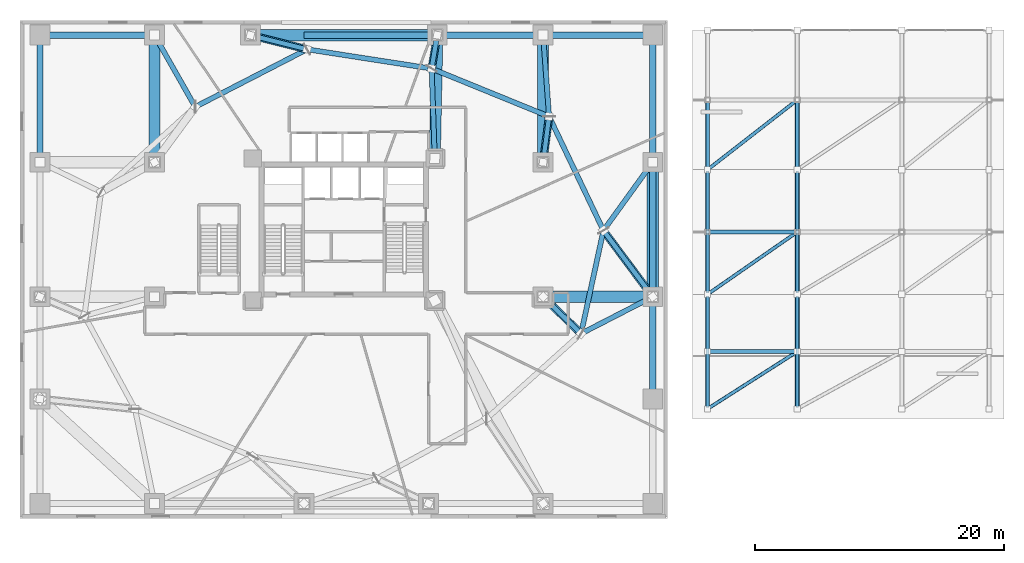
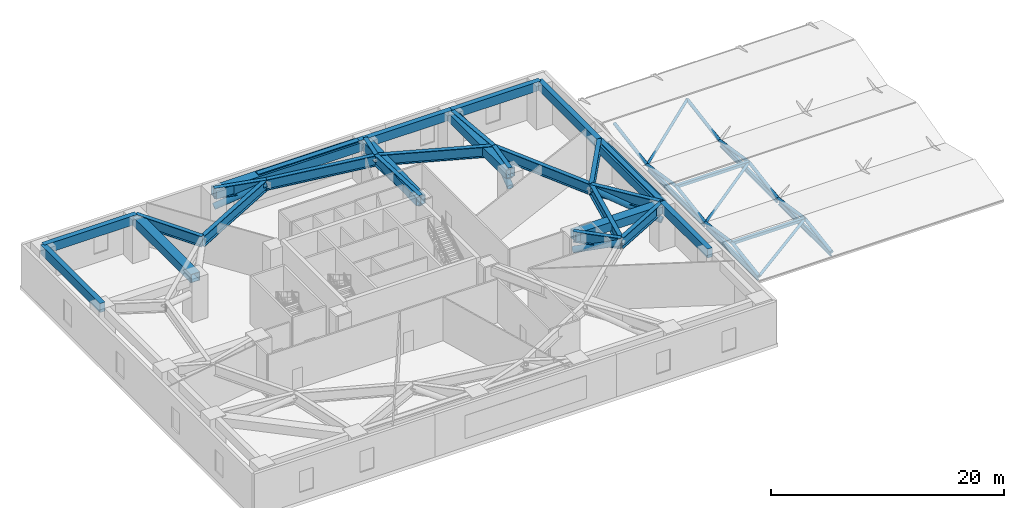
# One storey, part 2 of 13: 27 beams, 26 members.
"""IFC4 building model written with IfcOpenShell, lengths in metres."""

from ifc_helpers import new_model, si_unit, direction, frame, origin, origin_2d, place, context, subcontext, project, spatial, rectangle, hollow_rectangle, hollow_circle, i_section, extrude, source, transform, mapped, material, material_profile, profile_set, type_object, type_shapes, element, save


model = new_model("IFC4")

# Units and contexts
model_context = context("Model", 3, precision=1e-05, world=origin(), true_north=direction((0.0, 1.0)))
body_context = subcontext(model_context, "Body", "Model", "MODEL_VIEW")
ifc_project = project(units=[si_unit("LENGTHUNIT", "METRE"), si_unit("AREAUNIT", "SQUARE_METRE"), si_unit("VOLUMEUNIT", "CUBIC_METRE"), si_unit("PLANEANGLEUNIT", "RADIAN"), si_unit("MASSUNIT", "GRAM", prefix="KILO")], contexts=[model_context])

# Site, building, storey
site_placement = place(None, origin())
site = spatial("IfcSite", under=ifc_project, at=site_placement, CompositionType="ELEMENT")
building_placement = place(site_placement, origin())
building = spatial("IfcBuilding", under=site, at=building_placement, Name="Talar Marvaseh", CompositionType="ELEMENT")
storey_placement = place(building_placement, frame((0.0, 0.0, 19.0)))
storey = spatial("IfcBuildingStorey", under=building, at=storey_placement, Name="L04", CompositionType="ELEMENT", Elevation=19.0)

# Beams
ifc_material_1 = material(Name="Steel S355", Category="steel")
ifc_material_profile_1 = material_profile(ifc_material_1, i_section(OverallWidth=0.2119140625, OverallDepth=0.5439453125, WebThickness=0.01318359375, FlangeThickness=0.021240234375, at=origin_2d()), Name="W530x123")
ifc_profile_set_1 = profile_set([ifc_material_profile_1], Name="Steel S355")
beam_type_1 = type_object("IfcBeamType", Name="Market Hall Primary Girder W530x123", PredefinedType="BEAM", material=ifc_profile_set_1)
for number, where, z_axis, x_axis, name in (
    (1, (55.199951171875, 16.919921875, 0.3779296875), (0.0, 1.0, 0.0), (-1.0, 0.0, 0.0), "L04 Market Hall Primary Girder W530x123"),
    (2, (62.39990234375, 16.919921875, 0.3779296875), (0.0, 1.0, 0.0), (-1.0, 0.0, 0.0), "L04 Market Hall Primary Girder W530x123"),
):
    element("IfcBeam", number, at=place(storey_placement, frame(where, z_axis=z_axis, x_axis=x_axis)), inside=storey, type_object=beam_type_1, Name=name, PredefinedType="BEAM", context=body_context, shape_type="SweptSolid", body=[
        extrude(i_section(OverallWidth=0.2119140625, OverallDepth=0.5439453125, WebThickness=0.01318359375, FlangeThickness=0.021240234375, at=origin_2d()), origin(), (0.0, 0.0, 1.0), 8.9599609375),
    ])
for number, where, z_axis, x_axis, name in (
    (3, (55.199951171875, 26.1201171875, 0.3779296875), (0.0, 1.0, 0.0), (-1.0, 0.0, 0.0), "L04 Market Hall Primary Girder W530x123"),
    (4, (62.39990234375, 26.1201171875, 0.3779296875), (0.0, 1.0, 0.0), (-1.0, 0.0, 0.0), "L04 Market Hall Primary Girder W530x123"),
):
    element("IfcBeam", number, at=place(storey_placement, frame(where, z_axis=z_axis, x_axis=x_axis)), inside=storey, type_object=beam_type_1, Name=name, PredefinedType="BEAM", context=body_context, shape_type="SweptSolid", body=[
        extrude(i_section(OverallWidth=0.2119140625, OverallDepth=0.5439453125, WebThickness=0.01318359375, FlangeThickness=0.021240234375, at=origin_2d()), origin(), (0.0, 0.0, 1.0), 9.759765625),
    ])
ifc_material_2 = material(Name="Concrete C50/60", Category="concrete")
ifc_material_profile_2 = material_profile(ifc_material_2, rectangle(XDim=0.5, YDim=0.949951171875, at=origin_2d()), Name="RC500x950")
ifc_profile_set_2 = profile_set([ifc_material_profile_2], Name="Concrete C50/60")
beam_type_2 = type_object("IfcBeamType", Name="Podium Concrete Tie Beam RC500x950", PredefinedType="BEAM", material=ifc_profile_set_2)
beam_1_placement = place(storey_placement, frame((1.60009765625, 46.800048828125, 4.074951171875), z_axis=(1.0, 0.0, 0.0), x_axis=(0.0, 1.0, 0.0)))
element("IfcBeam", 5, at=beam_1_placement, inside=storey, type_object=beam_type_2, Name="L04 Podium Concrete Tie Beam RC500x950", PredefinedType="BEAM", context=body_context, shape_type="SweptSolid", body=[
    extrude(rectangle(XDim=0.5, YDim=0.949951171875, at=origin_2d()), origin(), (0.0, 0.0, 1.0), 9.199951171875),
])
beam_2_placement = place(storey_placement, frame((22.800048828125, 46.800048828125, 4.074951171875), z_axis=(1.0, 0.0, 0.0), x_axis=(0.0, 1.0, 0.0)))
element("IfcBeam", 6, at=beam_2_placement, inside=storey, type_object=beam_type_2, Name="L04 Podium Concrete Tie Beam RC500x950", PredefinedType="BEAM", context=body_context, shape_type="SweptSolid", body=[
    extrude(rectangle(XDim=0.5, YDim=0.949951171875, at=origin_2d()), origin(), (0.0, 0.0, 1.0), 10.0),
])
beam_3_placement = place(storey_placement, frame((32.800048828125, 46.800048828125, 4.074951171875), z_axis=(1.0, 0.0, 0.0), x_axis=(0.0, 1.0, 0.0)))
element("IfcBeam", 7, at=beam_3_placement, inside=storey, type_object=beam_type_2, Name="L04 Podium Concrete Tie Beam RC500x950", PredefinedType="BEAM", context=body_context, shape_type="SweptSolid", body=[
    extrude(rectangle(XDim=0.5, YDim=0.949951171875, at=origin_2d()), origin(), (0.0, 0.0, 1.0), 9.199951171875),
])
beam_4_placement = place(storey_placement, frame((42.0, 46.800048828125, 4.074951171875), z_axis=(1.0, 0.0, 0.0), x_axis=(0.0, 1.0, 0.0)))
element("IfcBeam", 8, at=beam_4_placement, inside=storey, type_object=beam_type_2, Name="L04 Podium Concrete Tie Beam RC500x950", PredefinedType="BEAM", context=body_context, shape_type="SweptSolid", body=[
    extrude(rectangle(XDim=0.5, YDim=0.949951171875, at=origin_2d()), origin(), (0.0, 0.0, 1.0), 8.800048828125),
])
beam_5_placement = place(storey_placement, frame((1.60009765625, 36.60009765625, 4.074951171875), z_axis=(0.0, 1.0, 0.0), x_axis=(-1.0, 0.0, 0.0)))
element("IfcBeam", 9, at=beam_5_placement, inside=storey, type_object=beam_type_2, Name="L04 Podium Concrete Tie Beam RC500x950", PredefinedType="BEAM", context=body_context, shape_type="SweptSolid", body=[
    extrude(rectangle(XDim=0.5, YDim=0.949951171875, at=origin_2d()), origin(), (0.0, 0.0, 1.0), 10.199951171875),
])
beam_6_placement = place(storey_placement, frame((50.800048828125, 17.60009765625, 4.074951171875), z_axis=(0.0, 1.0, 0.0), x_axis=(-1.0, 0.0, 0.0)))
element("IfcBeam", 10, at=beam_6_placement, inside=storey, type_object=beam_type_2, Name="L04 Podium Concrete Tie Beam RC500x950", PredefinedType="BEAM", context=body_context, shape_type="SweptSolid", body=[
    extrude(rectangle(XDim=0.5, YDim=0.949951171875, at=origin_2d()), origin(), (0.0, 0.0, 1.0), 8.199951171875),
])
beam_7_placement = place(storey_placement, frame((50.800048828125, 25.800048828125, 4.074951171875), z_axis=(0.0, 1.0, 0.0), x_axis=(-1.0, 0.0, 0.0)))
element("IfcBeam", 11, at=beam_7_placement, inside=storey, type_object=beam_type_2, Name="L04 Podium Concrete Tie Beam RC500x950", PredefinedType="BEAM", context=body_context, shape_type="SweptSolid", body=[
    extrude(rectangle(XDim=0.5, YDim=0.949951171875, at=origin_2d()), origin(), (0.0, 0.0, 1.0), 10.800048828125),
])
beam_8_placement = place(storey_placement, frame((50.800048828125, 36.60009765625, 4.074951171875), z_axis=(0.0, 1.0, 0.0), x_axis=(-1.0, 0.0, 0.0)))
element("IfcBeam", 12, at=beam_8_placement, inside=storey, type_object=beam_type_2, Name="L04 Podium Concrete Tie Beam RC500x950", PredefinedType="BEAM", context=body_context, shape_type="SweptSolid", body=[
    extrude(rectangle(XDim=0.5, YDim=0.949951171875, at=origin_2d()), origin(), (0.0, 0.0, 1.0), 10.199951171875),
])
ifc_material_3 = material(Name="Steel S460", Category="steel")
ifc_material_profile_3 = material_profile(ifc_material_3, i_section(OverallWidth=0.405029296875, OverallDepth=1.117919921875, WebThickness=0.02587890625, FlangeThickness=0.044921875, at=origin_2d()), Name="W1100x499")
ifc_profile_set_3 = profile_set([ifc_material_profile_3], Name="Steel S460")
beam_type_3 = type_object("IfcBeamType", Name="Podium Transfer Girder W1100x499", PredefinedType="BEAM", material=ifc_profile_set_3)
beam_9_placement = place(storey_placement, frame((42.47705078125, 40.26904296875, 3.990966796875), z_axis=(0.430480372911, -0.902599938255, 0.0), x_axis=(0.902599938255, 0.430480372911, 0.0)))
element("IfcBeam", 13, at=beam_9_placement, inside=storey, type_object=beam_type_3, Name="L04 Transfer Ring Girder 1", PredefinedType="BEAM", context=body_context, shape_type="SweptSolid", body=[
    extrude(i_section(OverallWidth=0.405029296875, OverallDepth=1.117919921875, WebThickness=0.02587890625, FlangeThickness=0.044921875, at=origin_2d()), origin(), (0.0, 0.0, 1.0), 10.137451171875),
])
beam_10_placement = place(storey_placement, frame((46.841064453125, 31.118896484375, 3.990966796875), z_axis=(-0.212134113363, -0.977240562987, 0.0), x_axis=(0.977240562987, -0.212134113363, 0.0)))
element("IfcBeam", 14, at=beam_10_placement, inside=storey, type_object=beam_type_3, Name="L04 Transfer Ring Girder 2", PredefinedType="BEAM", context=body_context, shape_type="SweptSolid", body=[
    extrude(i_section(OverallWidth=0.405029296875, OverallDepth=1.117919921875, WebThickness=0.02587890625, FlangeThickness=0.044921875, at=origin_2d()), origin(), (0.0, 0.0, 1.0), 8.4716796875),
])
beam_11_placement = place(storey_placement, frame((14.069091796875, 41.04296875, 3.990966796875), z_axis=(0.889015710182, 0.457876694155, 0.0), x_axis=(-0.457876694155, 0.889015710182, 0.0)))
element("IfcBeam", 15, at=beam_11_placement, inside=storey, type_object=beam_type_3, Name="L04 Transfer Ring Girder 10", PredefinedType="BEAM", context=body_context, shape_type="SweptSolid", body=[
    extrude(i_section(OverallWidth=0.405029296875, OverallDepth=1.117919921875, WebThickness=0.02587890625, FlangeThickness=0.044921875, at=origin_2d()), origin(), (0.0, 0.0, 1.0), 10.098876953125),
])
beam_12_placement = place(storey_placement, frame((23.047119140625, 45.6669921875, 3.990966796875), z_axis=(0.988210751461, -0.153099675693, 0.0), x_axis=(0.153099675693, 0.988210751461, 0.0)))
element("IfcBeam", 16, at=beam_12_placement, inside=storey, type_object=beam_type_3, Name="L04 Transfer Ring Girder 11", PredefinedType="BEAM", context=body_context, shape_type="SweptSolid", body=[
    extrude(i_section(OverallWidth=0.405029296875, OverallDepth=1.117919921875, WebThickness=0.02587890625, FlangeThickness=0.044921875, at=origin_2d()), origin(), (0.0, 0.0, 1.0), 10.1181640625),
])
beam_13_placement = place(storey_placement, frame((33.0458984375, 44.117919921875, 3.990966796875), z_axis=(0.92586732306, -0.377848779395, 0.0), x_axis=(0.377848779395, 0.92586732306, 0.0)))
element("IfcBeam", 17, at=beam_13_placement, inside=storey, type_object=beam_type_3, Name="L04 Transfer Ring Girder 12", PredefinedType="BEAM", context=body_context, shape_type="SweptSolid", body=[
    extrude(i_section(OverallWidth=0.405029296875, OverallDepth=1.117919921875, WebThickness=0.02587890625, FlangeThickness=0.044921875, at=origin_2d()), origin(), (0.0, 0.0, 1.0), 10.186279296875),
])
beam_14_placement = place(storey_placement, frame((42.0, 36.60009765625, 3.990966796875), z_axis=(0.128938590745, 0.9916525802, 0.0), x_axis=(-0.9916525802, 0.128938590745, 0.0)))
element("IfcBeam", 18, at=beam_14_placement, inside=storey, type_object=beam_type_3, Name="L04 Podium Transfer Girder A1", PredefinedType="BEAM", context=body_context, shape_type="SweptSolid", body=[
    extrude(i_section(OverallWidth=0.405029296875, OverallDepth=1.117919921875, WebThickness=0.02587890625, FlangeThickness=0.044921875, at=origin_2d()), origin(), (0.0, 0.0, 1.0), 3.699951171875),
])
beam_15_placement = place(storey_placement, frame((42.47705078125, 40.26904296875, 3.990966796875), z_axis=(-0.072849914239, 0.997342914947, 0.0), x_axis=(-0.997342914947, -0.072849914239, 0.0)))
element("IfcBeam", 19, at=beam_15_placement, inside=storey, type_object=beam_type_3, Name="L04 Podium Transfer Girder B1", PredefinedType="BEAM", context=body_context, shape_type="SweptSolid", body=[
    extrude(i_section(OverallWidth=0.405029296875, OverallDepth=1.117919921875, WebThickness=0.02587890625, FlangeThickness=0.044921875, at=origin_2d()), origin(), (0.0, 0.0, 1.0), 6.54833984375),
])
beam_16_placement = place(storey_placement, frame((50.800048828125, 25.800048828125, 3.990966796875), z_axis=(-0.597085715515, 0.802177441922, 0.0), x_axis=(-0.802177441922, -0.597085715515, 0.0)))
element("IfcBeam", 20, at=beam_16_placement, inside=storey, type_object=beam_type_3, Name="L04 Podium Transfer Girder A2", PredefinedType="BEAM", context=body_context, shape_type="SweptSolid", body=[
    extrude(i_section(OverallWidth=0.405029296875, OverallDepth=1.117919921875, WebThickness=0.02587890625, FlangeThickness=0.044921875, at=origin_2d()), origin(), (0.0, 0.0, 1.0), 6.630615234375),
])
beam_17_placement = place(storey_placement, frame((46.841064453125, 31.118896484375, 3.990966796875), z_axis=(0.585523511766, 0.810655424437, 0.0), x_axis=(-0.810655424437, 0.585523511766, 0.0)))
element("IfcBeam", 21, at=beam_17_placement, inside=storey, type_object=beam_type_3, Name="L04 Podium Transfer Girder B2", PredefinedType="BEAM", context=body_context, shape_type="SweptSolid", body=[
    extrude(i_section(OverallWidth=0.405029296875, OverallDepth=1.117919921875, WebThickness=0.02587890625, FlangeThickness=0.044921875, at=origin_2d()), origin(), (0.0, 0.0, 1.0), 6.761474609375),
])
beam_18_placement = place(storey_placement, frame((42.0, 25.800048828125, 3.990966796875), z_axis=(0.716927857103, -0.697147364414, 0.0), x_axis=(0.697147364414, 0.716927857103, 0.0)))
element("IfcBeam", 22, at=beam_18_placement, inside=storey, type_object=beam_type_3, Name="L04 Podium Transfer Girder A3", PredefinedType="BEAM", context=body_context, shape_type="SweptSolid", body=[
    extrude(i_section(OverallWidth=0.405029296875, OverallDepth=1.117919921875, WebThickness=0.02587890625, FlangeThickness=0.044921875, at=origin_2d()), origin(), (0.0, 0.0, 1.0), 4.245849609375),
])
beam_19_placement = place(storey_placement, frame((45.0439453125, 22.840087890625, 3.990966796875), z_axis=(0.889307963869, 0.45730880748, 0.0), x_axis=(-0.45730880748, 0.889307963869, 0.0)))
element("IfcBeam", 23, at=beam_19_placement, inside=storey, type_object=beam_type_3, Name="L04 Podium Transfer Girder B3", PredefinedType="BEAM", context=body_context, shape_type="SweptSolid", body=[
    extrude(i_section(OverallWidth=0.405029296875, OverallDepth=1.117919921875, WebThickness=0.02587890625, FlangeThickness=0.044921875, at=origin_2d()), origin(), (0.0, 0.0, 1.0), 6.47265625),
])
beam_20_placement = place(storey_placement, frame((14.069091796875, 41.04296875, 3.990966796875), z_axis=(-0.493778137207, 0.869587920349, 0.0), x_axis=(-0.869587920349, -0.493778137207, 0.0)))
element("IfcBeam", 24, at=beam_20_placement, inside=storey, type_object=beam_type_3, Name="L04 Podium Transfer Girder B10", PredefinedType="BEAM", context=body_context, shape_type="SweptSolid", body=[
    extrude(i_section(OverallWidth=0.405029296875, OverallDepth=1.117919921875, WebThickness=0.02587890625, FlangeThickness=0.044921875, at=origin_2d()), origin(), (0.0, 0.0, 1.0), 6.620361328125),
])
beam_21_placement = place(storey_placement, frame((18.5, 46.800048828125, 3.990966796875), z_axis=(0.970329152601, -0.241787790455, 0.0), x_axis=(0.241787790455, 0.970329152601, 0.0)))
element("IfcBeam", 25, at=beam_21_placement, inside=storey, type_object=beam_type_3, Name="L04 Podium Transfer Girder A11", PredefinedType="BEAM", context=body_context, shape_type="SweptSolid", body=[
    extrude(i_section(OverallWidth=0.405029296875, OverallDepth=1.117919921875, WebThickness=0.02587890625, FlangeThickness=0.044921875, at=origin_2d()), origin(), (0.0, 0.0, 1.0), 4.686279296875),
])
beam_22_placement = place(storey_placement, frame((33.5, 46.800048828125, 3.990966796875), z_axis=(-0.166930787032, -0.985968616306, 0.0), x_axis=(0.985968616306, -0.166930787032, 0.0)))
element("IfcBeam", 26, at=beam_22_placement, inside=storey, type_object=beam_type_3, Name="L04 Podium Transfer Girder A12", PredefinedType="BEAM", context=body_context, shape_type="SweptSolid", body=[
    extrude(i_section(OverallWidth=0.405029296875, OverallDepth=1.117919921875, WebThickness=0.02587890625, FlangeThickness=0.044921875, at=origin_2d()), origin(), (0.0, 0.0, 1.0), 2.72021484375),
])
beam_23_placement = place(storey_placement, frame((33.0458984375, 44.117919921875, 3.990966796875), z_axis=(0.03518874657, -0.999380684281, 0.0), x_axis=(0.999380684281, 0.03518874657, 0.0)))
element("IfcBeam", 27, at=beam_23_placement, inside=storey, type_object=beam_type_3, Name="L04 Podium Transfer Girder B12", PredefinedType="BEAM", context=body_context, shape_type="SweptSolid", body=[
    extrude(i_section(OverallWidth=0.405029296875, OverallDepth=1.117919921875, WebThickness=0.02587890625, FlangeThickness=0.044921875, at=origin_2d()), origin(), (0.0, 0.0, 1.0), 7.222412109375),
])

# Members
ifc_material_profile_4 = material_profile(ifc_material_1, hollow_circle(Radius=0.161865234375, WallThickness=0.012451171875, at=origin_2d()), Name="CHS324x12.5")
ifc_profile_set_4 = profile_set([ifc_material_profile_4], Name="Steel S355")
member_type_1 = type_object("IfcMemberType", Name="Market Vault Rib Brace CHS324x12.5", PredefinedType="BRACE", material=ifc_profile_set_4)
shared_shape_1 = source(origin(), body_context, "Body", "SweptSolid", [
    extrude(hollow_circle(Radius=0.161865234375, WallThickness=0.012451171875, at=origin_2d()), origin(), (0.0, 0.0, 1.0), 4.65234375),
])
for number, where, z_axis, x_axis, name in (
    (28, (55.199951171875, 16.800048828125, 0.60009765625), (0.0, 0.988713148776, 0.149820924566), (-1.0, 0.0, 0.0), "L04 Market Vault South Rib 1"),
    (29, (62.39990234375, 16.800048828125, 0.60009765625), (0.0, 0.988713148776, 0.149820924566), (-1.0, 0.0, 0.0), "L04 Market Vault South Rib 1"),
):
    element("IfcMember", number, at=place(storey_placement, frame(where, z_axis=z_axis, x_axis=x_axis)), inside=storey, type_object=member_type_1, Name=name, PredefinedType="BRACE", context=body_context, shape_type="MappedRepresentation", body=[
        mapped(shared_shape_1, transform((0.0, 0.0, 0.0), x_axis=(1.0, 0.0, 0.0), y_axis=(0.0, 1.0, 0.0), z_axis=(0.0, 0.0, 1.0), scale=1.0)),
    ])
shared_shape_2 = source(origin(), body_context, "Body", "SweptSolid", [
    extrude(hollow_circle(Radius=0.161865234375, WallThickness=0.012451171875, at=origin_2d()), origin(), (0.0, 0.0, 1.0), 4.652587890625),
])
for number, where, z_axis, x_axis, name in (
    (30, (55.199951171875, 21.39990234375, 1.297119140625), (0.0, 0.988714326592, -0.149813151599), (-1.0, 0.0, 0.0), "L04 Market Vault North Rib 1"),
    (31, (62.39990234375, 21.39990234375, 1.297119140625), (0.0, 0.988714326592, -0.149813151599), (-1.0, 0.0, 0.0), "L04 Market Vault North Rib 1"),
):
    element("IfcMember", number, at=place(storey_placement, frame(where, z_axis=z_axis, x_axis=x_axis)), inside=storey, type_object=member_type_1, Name=name, PredefinedType="BRACE", context=body_context, shape_type="MappedRepresentation", body=[
        mapped(shared_shape_2, transform((0.0, 0.0, 0.0), x_axis=(1.0, 0.0, 0.0), y_axis=(0.0, 1.0, 0.0), z_axis=(0.0, 0.0, 1.0), scale=1.0)),
    ])
ifc_material_profile_5 = material_profile(ifc_material_1, hollow_rectangle(XDim=0.300048828125, YDim=0.300048828125, WallThickness=0.012451171875, at=origin_2d()), Name="SHS300x300x12.5")
ifc_profile_set_5 = profile_set([ifc_material_profile_5], Name="Steel S355")
member_type_2 = type_object("IfcMemberType", Name="Market Vault Purlin Strut SHS300x300x12.5", PredefinedType="STRUT", material=ifc_profile_set_5)
shared_shape_3 = source(origin(), body_context, "Body", "SweptSolid", [
    extrude(hollow_rectangle(XDim=0.300048828125, YDim=0.300048828125, WallThickness=0.012451171875, at=origin_2d()), origin(), (0.0, 0.0, 1.0), 7.199951171875),
])
type_shapes(member_type_2, [shared_shape_3])
for number, where, z_axis, x_axis, name in (
    (32, (55.199951171875, 21.39990234375, 1.297119140625), (1.0, 0.0, 0.0), (0.0, 1.0, 0.0), "L04 Market Vault Ridge Purlin 1"),
    (33, (55.199951171875, 31.0, 1.39697265625), (1.0, 0.0, 0.0), (0.0, 1.0, 0.0), "L04 Market Vault Ridge Purlin 2"),
):
    element("IfcMember", number, at=place(storey_placement, frame(where, z_axis=z_axis, x_axis=x_axis)), inside=storey, type_object=member_type_2, Name=name, PredefinedType="STRUT", context=body_context, shape_type="MappedRepresentation", body=[
        mapped(shared_shape_3, transform((0.0, 0.0, 0.0), x_axis=(1.0, 0.0, 0.0), y_axis=(0.0, 1.0, 0.0), z_axis=(0.0, 0.0, 1.0), scale=1.0)),
    ])
ifc_material_profile_6 = material_profile(ifc_material_1, hollow_circle(Radius=0.136474609375, WallThickness=0.010009765625, at=origin_2d()), Name="CHS273x10")
ifc_profile_set_6 = profile_set([ifc_material_profile_6], Name="Steel S355")
member_type_3 = type_object("IfcMemberType", Name="Market Vault Wind Brace CHS273x10", PredefinedType="BRACE", material=ifc_profile_set_6)
shared_shape_4 = source(origin(), body_context, "Body", "SweptSolid", [
    extrude(hollow_circle(Radius=0.136474609375, WallThickness=0.010009765625, at=origin_2d()), origin(), (0.0, 0.0, 1.0), 8.572265625),
])
member_1_placement = place(storey_placement, frame((55.199951171875, 16.800048828125, 0.60009765625), z_axis=(0.839911993544, 0.536596991298, 0.081311204828), x_axis=(-0.53837969469, 0.842702381832, 0.0)))
element("IfcMember", 34, at=member_1_placement, inside=storey, type_object=member_type_3, Name="L04 Market Vault Wind Brace 1", PredefinedType="BRACE", context=body_context, shape_type="MappedRepresentation", body=[
    mapped(shared_shape_4, transform((0.0, 0.0, 0.0), x_axis=(1.0, 0.0, 0.0), y_axis=(0.0, 1.0, 0.0), z_axis=(0.0, 0.0, 1.0), scale=1.0)),
])
shared_shape_5 = source(origin(), body_context, "Body", "SweptSolid", [
    extrude(hollow_circle(Radius=0.161865234375, WallThickness=0.012451171875, at=origin_2d()), origin(), (0.0, 0.0, 1.0), 5.06298828125),
])
for number, where, z_axis, x_axis, name in (
    (35, (55.199951171875, 26.0, 0.60009765625), (0.0, 0.987536737213, 0.157388667493), (-1.0, 0.0, 0.0), "L04 Market Vault South Rib 2"),
    (36, (55.199951171875, 31.0, 1.39697265625), (0.0, 0.987536737213, -0.157388667493), (-1.0, 0.0, 0.0), "L04 Market Vault North Rib 2"),
    (37, (62.39990234375, 26.0, 0.60009765625), (0.0, 0.987536737213, 0.157388667493), (-1.0, 0.0, 0.0), "L04 Market Vault South Rib 2"),
    (38, (62.39990234375, 31.0, 1.39697265625), (0.0, 0.987536737213, -0.157388667493), (-1.0, 0.0, 0.0), "L04 Market Vault North Rib 2"),
):
    element("IfcMember", number, at=place(storey_placement, frame(where, z_axis=z_axis, x_axis=x_axis)), inside=storey, type_object=member_type_1, Name=name, PredefinedType="BRACE", context=body_context, shape_type="MappedRepresentation", body=[
        mapped(shared_shape_5, transform((0.0, 0.0, 0.0), x_axis=(1.0, 0.0, 0.0), y_axis=(0.0, 1.0, 0.0), z_axis=(0.0, 0.0, 1.0), scale=1.0)),
    ])
shared_shape_6 = source(origin(), body_context, "Body", "SweptSolid", [
    extrude(hollow_circle(Radius=0.136474609375, WallThickness=0.010009765625, at=origin_2d()), origin(), (0.0, 0.0, 1.0), 8.802001953125),
])
member_2_placement = place(storey_placement, frame((55.199951171875, 26.0, 0.60009765625), z_axis=(0.817995099861, 0.568056005057, 0.090533925806), x_axis=(-0.57039841921, 0.821368153365, 0.0)))
element("IfcMember", 39, at=member_2_placement, inside=storey, type_object=member_type_3, Name="L04 Market Vault Wind Brace 2", PredefinedType="BRACE", context=body_context, shape_type="MappedRepresentation", body=[
    mapped(shared_shape_6, transform((0.0, 0.0, 0.0), x_axis=(1.0, 0.0, 0.0), y_axis=(0.0, 1.0, 0.0), z_axis=(0.0, 0.0, 1.0), scale=1.0)),
])
shared_shape_7 = source(origin(), body_context, "Body", "SweptSolid", [
    extrude(hollow_circle(Radius=0.161865234375, WallThickness=0.012451171875, at=origin_2d()), origin(), (0.0, 0.0, 1.0), 5.679443359375),
])
type_shapes(member_type_1, [shared_shape_1, shared_shape_2, shared_shape_5, shared_shape_7])
for number, where, z_axis, x_axis, name in (
    (40, (55.199951171875, 36.0, 0.60009765625), (0.0, 0.986036103207, 0.166531688195), (-1.0, 0.0, 0.0), "L04 Market Vault South Rib 3"),
    (41, (62.39990234375, 36.0, 0.60009765625), (0.0, 0.986036103207, 0.166531688195), (-1.0, 0.0, 0.0), "L04 Market Vault South Rib 3"),
):
    element("IfcMember", number, at=place(storey_placement, frame(where, z_axis=z_axis, x_axis=x_axis)), inside=storey, type_object=member_type_1, Name=name, PredefinedType="BRACE", context=body_context, shape_type="MappedRepresentation", body=[
        mapped(shared_shape_7, transform((0.0, 0.0, 0.0), x_axis=(1.0, 0.0, 0.0), y_axis=(0.0, 1.0, 0.0), z_axis=(0.0, 0.0, 1.0), scale=1.0)),
    ])
shared_shape_8 = source(origin(), body_context, "Body", "SweptSolid", [
    extrude(hollow_circle(Radius=0.136474609375, WallThickness=0.010009765625, at=origin_2d()), origin(), (0.0, 0.0, 1.0), 9.17041015625),
])
type_shapes(member_type_3, [shared_shape_4, shared_shape_6, shared_shape_8])
member_3_placement = place(storey_placement, frame((55.199951171875, 36.0, 0.60009765625), z_axis=(0.78513555536, 0.610675777995, 0.103137063561), x_axis=(-0.613949878496, 0.789345011192, 0.0)))
element("IfcMember", 42, at=member_3_placement, inside=storey, type_object=member_type_3, Name="L04 Market Vault Wind Brace 3", PredefinedType="BRACE", context=body_context, shape_type="MappedRepresentation", body=[
    mapped(shared_shape_8, transform((0.0, 0.0, 0.0), x_axis=(1.0, 0.0, 0.0), y_axis=(0.0, 1.0, 0.0), z_axis=(0.0, 0.0, 1.0), scale=1.0)),
])
ifc_material_profile_7 = material_profile(ifc_material_3, hollow_rectangle(XDim=0.89990234375, YDim=0.89990234375, WallThickness=0.044921875, at=origin_2d()), Name="BOX900x900x45")
ifc_profile_set_7 = profile_set([ifc_material_profile_7], Name="Steel S460")
member_type_4 = type_object("IfcMemberType", Name="Transfer Truss Chord Member BOX900x900x45", PredefinedType="CHORD", material=ifc_profile_set_7)
shared_shape_9 = source(origin(), body_context, "Body", "SweptSolid", [
    extrude(hollow_rectangle(XDim=0.89990234375, YDim=0.89990234375, WallThickness=0.044921875, at=origin_2d()), origin(), (0.0, 0.0, 1.0), 10.199951171875),
])
for number, where, z_axis, x_axis, name in (
    (43, (42.0, 36.60009765625, 4.0), (0.0, 1.0, 0.0), (-1.0, 0.0, 0.0), "L04 Transfer Truss Upper Chord 1"),
    (44, (10.800048828125, 36.60009765625, 4.0), (0.0, 1.0, 0.0), (-1.0, 0.0, 0.0), "L04 Transfer Truss Upper Chord 10"),
):
    element("IfcMember", number, at=place(storey_placement, frame(where, z_axis=z_axis, x_axis=x_axis)), inside=storey, type_object=member_type_4, Name=name, PredefinedType="CHORD", context=body_context, shape_type="MappedRepresentation", body=[
        mapped(shared_shape_9, transform((0.0, 0.0, 0.0), x_axis=(1.0, 0.0, 0.0), y_axis=(0.0, 1.0, 0.0), z_axis=(0.0, 0.0, 1.0), scale=1.0)),
    ])
ifc_material_profile_8 = material_profile(ifc_material_3, hollow_circle(Radius=0.304931640625, WallThickness=0.02490234375, at=origin_2d()), Name="CHS610x25")
ifc_profile_set_8 = profile_set([ifc_material_profile_8], Name="Steel S460")
member_type_5 = type_object("IfcMemberType", Name="Outrigger Diagonal Brace CHS610x25", PredefinedType="BRACE", material=ifc_profile_set_8)
shared_shape_10 = source(origin(), body_context, "Body", "SweptSolid", [
    extrude(hollow_circle(Radius=0.304931640625, WallThickness=0.02490234375, at=origin_2d()), origin(), (0.0, 0.0, 1.0), 3.992431640625),
])
member_4_placement = place(storey_placement, frame((42.0, 36.60009765625, 2.550048828125), z_axis=(0.119491677218, 0.918997402885, 0.375719992236), x_axis=(-0.9916525802, 0.128938590745, 0.0)))
element("IfcMember", 45, at=member_4_placement, inside=storey, type_object=member_type_5, Name="L04 Transfer Truss Raked Strut 1", PredefinedType="BRACE", context=body_context, shape_type="MappedRepresentation", body=[
    mapped(shared_shape_10, transform((0.0, 0.0, 0.0), x_axis=(1.0, 0.0, 0.0), y_axis=(0.0, 1.0, 0.0), z_axis=(0.0, 0.0, 1.0), scale=1.0)),
])
shared_shape_11 = source(origin(), body_context, "Body", "SweptSolid", [
    extrude(hollow_rectangle(XDim=0.89990234375, YDim=0.89990234375, WallThickness=0.044921875, at=origin_2d()), origin(), (0.0, 0.0, 1.0), 10.800048828125),
])
member_5_placement = place(storey_placement, frame((50.800048828125, 25.800048828125, 4.0), z_axis=(0.0, 1.0, 0.0), x_axis=(-1.0, 0.0, 0.0)))
element("IfcMember", 46, at=member_5_placement, inside=storey, type_object=member_type_4, Name="L04 Transfer Truss Upper Chord 2", PredefinedType="CHORD", context=body_context, shape_type="MappedRepresentation", body=[
    mapped(shared_shape_11, transform((0.0, 0.0, 0.0), x_axis=(1.0, 0.0, 0.0), y_axis=(0.0, 1.0, 0.0), z_axis=(0.0, 0.0, 1.0), scale=1.0)),
])
shared_shape_12 = source(origin(), body_context, "Body", "SweptSolid", [
    extrude(hollow_circle(Radius=0.304931640625, WallThickness=0.02490234375, at=origin_2d()), origin(), (0.0, 0.0, 1.0), 6.798095703125),
])
member_6_placement = place(storey_placement, frame((50.800048828125, 25.800048828125, 2.550048828125), z_axis=(-0.58236924033, 0.782406035387, 0.22065099979), x_axis=(-0.802177441922, -0.597085715515, 0.0)))
element("IfcMember", 47, at=member_6_placement, inside=storey, type_object=member_type_5, Name="L04 Transfer Truss Raked Strut 2", PredefinedType="BRACE", context=body_context, shape_type="MappedRepresentation", body=[
    mapped(shared_shape_12, transform((0.0, 0.0, 0.0), x_axis=(1.0, 0.0, 0.0), y_axis=(0.0, 1.0, 0.0), z_axis=(0.0, 0.0, 1.0), scale=1.0)),
])
shared_shape_13 = source(origin(), body_context, "Body", "SweptSolid", [
    extrude(hollow_rectangle(XDim=0.89990234375, YDim=0.89990234375, WallThickness=0.044921875, at=origin_2d()), origin(), (0.0, 0.0, 1.0), 8.800048828125),
])
member_7_placement = place(storey_placement, frame((42.0, 25.800048828125, 4.0), z_axis=(1.0, 0.0, 0.0), x_axis=(0.0, 1.0, 0.0)))
element("IfcMember", 48, at=member_7_placement, inside=storey, type_object=member_type_4, Name="L04 Transfer Truss Upper Chord 3", PredefinedType="CHORD", context=body_context, shape_type="MappedRepresentation", body=[
    mapped(shared_shape_13, transform((0.0, 0.0, 0.0), x_axis=(1.0, 0.0, 0.0), y_axis=(0.0, 1.0, 0.0), z_axis=(0.0, 0.0, 1.0), scale=1.0)),
])
shared_shape_14 = source(origin(), body_context, "Body", "SweptSolid", [
    extrude(hollow_circle(Radius=0.304931640625, WallThickness=0.02490234375, at=origin_2d()), origin(), (0.0, 0.0, 1.0), 4.5029296875),
])
member_8_placement = place(storey_placement, frame((42.0, 25.800048828125, 2.550048828125), z_axis=(0.675982257034, -0.657331479329, 0.333111564583), x_axis=(0.697147364414, 0.716927857103, 0.0)))
element("IfcMember", 49, at=member_8_placement, inside=storey, type_object=member_type_5, Name="L04 Transfer Truss Raked Strut 3", PredefinedType="BRACE", context=body_context, shape_type="MappedRepresentation", body=[
    mapped(shared_shape_14, transform((0.0, 0.0, 0.0), x_axis=(1.0, 0.0, 0.0), y_axis=(0.0, 1.0, 0.0), z_axis=(0.0, 0.0, 1.0), scale=1.0)),
])
shared_shape_15 = source(origin(), body_context, "Body", "SweptSolid", [
    extrude(hollow_rectangle(XDim=0.89990234375, YDim=0.89990234375, WallThickness=0.044921875, at=origin_2d()), origin(), (0.0, 0.0, 1.0), 15.0),
])
member_9_placement = place(storey_placement, frame((18.5, 46.800048828125, 4.0), z_axis=(1.0, 0.0, 0.0), x_axis=(0.0, 1.0, 0.0)))
element("IfcMember", 50, at=member_9_placement, inside=storey, type_object=member_type_4, Name="L04 Transfer Truss Upper Chord 11", PredefinedType="CHORD", context=body_context, shape_type="MappedRepresentation", body=[
    mapped(shared_shape_15, transform((0.0, 0.0, 0.0), x_axis=(1.0, 0.0, 0.0), y_axis=(0.0, 1.0, 0.0), z_axis=(0.0, 0.0, 1.0), scale=1.0)),
])
shared_shape_16 = source(origin(), body_context, "Body", "SweptSolid", [
    extrude(hollow_circle(Radius=0.304931640625, WallThickness=0.02490234375, at=origin_2d()), origin(), (0.0, 0.0, 1.0), 4.92041015625),
])
member_10_placement = place(storey_placement, frame((18.5, 46.800048828125, 2.550048828125), z_axis=(0.924140394099, -0.230278419813, 0.304854688931), x_axis=(0.241787790455, 0.970329152601, 0.0)))
element("IfcMember", 51, at=member_10_placement, inside=storey, type_object=member_type_5, Name="L04 Transfer Truss Raked Strut 11", PredefinedType="BRACE", context=body_context, shape_type="MappedRepresentation", body=[
    mapped(shared_shape_16, transform((0.0, 0.0, 0.0), x_axis=(1.0, 0.0, 0.0), y_axis=(0.0, 1.0, 0.0), z_axis=(0.0, 0.0, 1.0), scale=1.0)),
])
shared_shape_17 = source(origin(), body_context, "Body", "SweptSolid", [
    extrude(hollow_rectangle(XDim=0.89990234375, YDim=0.89990234375, WallThickness=0.044921875, at=origin_2d()), origin(), (0.0, 0.0, 1.0), 9.902099609375),
])
type_shapes(member_type_4, [shared_shape_9, shared_shape_11, shared_shape_13, shared_shape_15, shared_shape_17])
member_11_placement = place(storey_placement, frame((33.5, 46.800048828125, 4.0), z_axis=(-0.020192671249, -0.999796107228, 0.0), x_axis=(0.999796107228, -0.020192671249, 0.0)))
element("IfcMember", 52, at=member_11_placement, inside=storey, type_object=member_type_4, Name="L04 Transfer Truss Upper Chord 12", PredefinedType="CHORD", context=body_context, shape_type="MappedRepresentation", body=[
    mapped(shared_shape_17, transform((0.0, 0.0, 0.0), x_axis=(1.0, 0.0, 0.0), y_axis=(0.0, 1.0, 0.0), z_axis=(0.0, 0.0, 1.0), scale=1.0)),
])
shared_shape_18 = source(origin(), body_context, "Body", "SweptSolid", [
    extrude(hollow_circle(Radius=0.304931640625, WallThickness=0.02490234375, at=origin_2d()), origin(), (0.0, 0.0, 1.0), 3.1064453125),
])
type_shapes(member_type_5, [shared_shape_10, shared_shape_12, shared_shape_14, shared_shape_16, shared_shape_18])
member_12_placement = place(storey_placement, frame((33.5, 46.800048828125, 2.550048828125), z_axis=(-0.146180285684, -0.863406784151, 0.482866492065), x_axis=(0.985968616306, -0.166930787032, 0.0)))
element("IfcMember", 53, at=member_12_placement, inside=storey, type_object=member_type_5, Name="L04 Transfer Truss Raked Strut 12", PredefinedType="BRACE", context=body_context, shape_type="MappedRepresentation", body=[
    mapped(shared_shape_18, transform((0.0, 0.0, 0.0), x_axis=(1.0, 0.0, 0.0), y_axis=(0.0, 1.0, 0.0), z_axis=(0.0, 0.0, 1.0), scale=1.0)),
])

save(model, "model.ifc")
